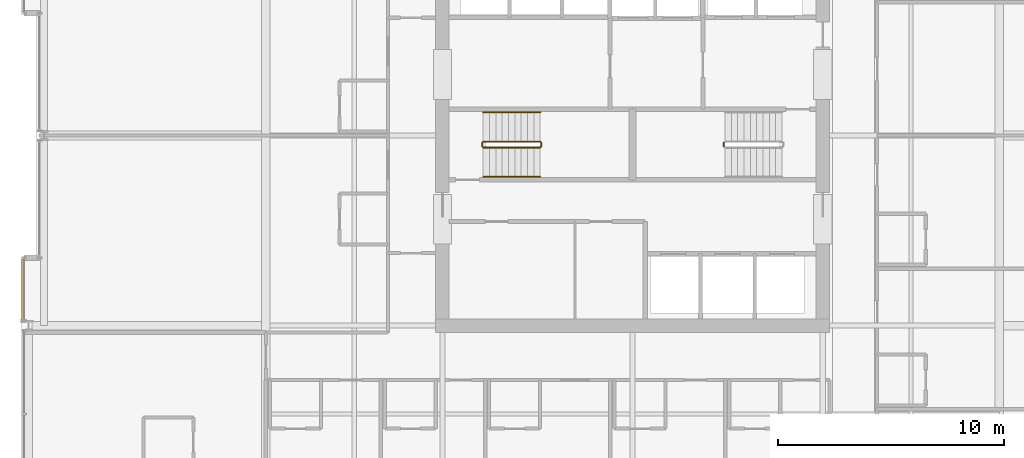
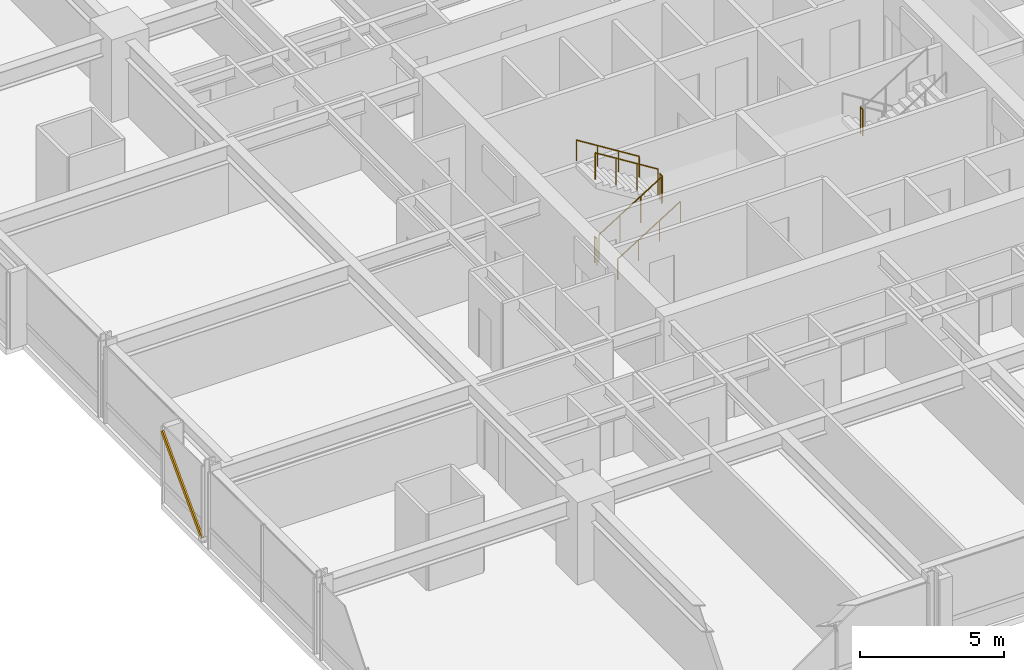
# One storey, part 33 of 35: 7 railings, 1 shading device.
"""IFC4 building model written with IfcOpenShell, lengths in metres."""

from ifc_helpers import new_model, si_unit, direction, frame, origin, origin_2d, place, context, subcontext, project, spatial, hollow_rectangle, circle, extrude, material, material_profile, profile_set, type_object, element, save


model = new_model("IFC4")

# Units and contexts
model_context = context("Model", 3, precision=1e-05, world=origin(), true_north=direction((0.0, 1.0)))
body_context = subcontext(model_context, "Body", "Model", "MODEL_VIEW")
ifc_project = project(units=[si_unit("LENGTHUNIT", "METRE"), si_unit("AREAUNIT", "SQUARE_METRE"), si_unit("VOLUMEUNIT", "CUBIC_METRE"), si_unit("PLANEANGLEUNIT", "RADIAN"), si_unit("MASSUNIT", "GRAM", prefix="KILO")], contexts=[model_context])

# Site, building, storey
site_placement = place(None, origin())
site = spatial("IfcSite", under=ifc_project, at=site_placement, CompositionType="ELEMENT")
building_placement = place(site_placement, origin())
building = spatial("IfcBuilding", under=site, at=building_placement, Name="Drelvath Grand Hotel", CompositionType="ELEMENT")
storey_placement = place(building_placement, frame((0.0, 0.0, 98.800048828125)))
storey = spatial("IfcBuildingStorey", under=building, at=storey_placement, Name="L24", CompositionType="ELEMENT", Elevation=98.800048828125)

# Railings
ifc_material_1 = material(Name="Painted Steel S275", Category="steel")
railing_type_1 = type_object("IfcRailingType", Name="Core Stair Wall Handrail 900", PredefinedType="HANDRAIL", material=ifc_material_1)
railing_1_placement = place(storey_placement, frame((-6.60009765625, 25.169921875, 0.175048828125)))
element("IfcRailing", 1, at=railing_1_placement, inside=storey, type_object=railing_type_1, Name="L24 ST-1 stair handrail 1", PredefinedType="HANDRAIL", context=body_context, shape_type="SweptSolid", body=[
    extrude(circle(Radius=0.02392578125, at=origin_2d()), frame((0.0, 0.0, 0.8759765625), z_axis=(0.848007534815, 0.0, 0.529984170421), x_axis=(0.0, 1.0, 0.0)), (0.0, 0.0, 1.0), 2.9716796875),
    extrude(circle(Radius=0.02099609375, at=origin_2d()), origin(), (0.0, 0.0, 1.0), 0.851806640625),
    extrude(circle(Radius=0.02099609375, at=origin_2d()), frame((0.840087890625, 0.0, 0.52490234375)), (0.0, 0.0, 1.0), 0.851806640625),
    extrude(circle(Radius=0.02099609375, at=origin_2d()), frame((1.679931640625, 0.0, 1.050048828125)), (0.0, 0.0, 1.0), 0.851806640625),
    extrude(circle(Radius=0.02099609375, at=origin_2d()), frame((2.52001953125, 0.0, 1.574951171875)), (0.0, 0.0, 1.0), 0.851806640625),
])
railing_2_placement = place(storey_placement, frame((-4.080078125, 28.030029296875, 1.925048828125)))
element("IfcRailing", 2, at=railing_2_placement, inside=storey, type_object=railing_type_1, Name="L24 ST-1 stair handrail 2", PredefinedType="HANDRAIL", context=body_context, shape_type="SweptSolid", body=[
    extrude(circle(Radius=0.02392578125, at=origin_2d()), frame((0.0, 0.0, 0.8759765625), z_axis=(-0.848007534815, 0.0, 0.529984170421), x_axis=(0.0, -1.0, 0.0)), (0.0, 0.0, 1.0), 2.9716796875),
    extrude(circle(Radius=0.02099609375, at=origin_2d()), origin(), (0.0, 0.0, 1.0), 0.851806640625),
    extrude(circle(Radius=0.02099609375, at=origin_2d()), frame((-0.840087890625, 0.0, 0.52490234375)), (0.0, 0.0, 1.0), 0.851806640625),
    extrude(circle(Radius=0.02099609375, at=origin_2d()), frame((-1.679931640625, 0.0, 1.050048828125)), (0.0, 0.0, 1.0), 0.851806640625),
    extrude(circle(Radius=0.02099609375, at=origin_2d()), frame((-2.52001953125, 0.0, 1.574951171875)), (0.0, 0.0, 1.0), 0.851806640625),
])
railing_type_2 = type_object("IfcRailingType", Name="Core Stair Well Guardrail 1100", PredefinedType="GUARDRAIL", material=ifc_material_1)
railing_3_placement = place(storey_placement, frame((-6.60009765625, 26.469970703125, 0.175048828125)))
element("IfcRailing", 3, at=railing_3_placement, inside=storey, type_object=railing_type_2, Name="L24 ST-1 stair guard 1", PredefinedType="GUARDRAIL", context=body_context, shape_type="SweptSolid", body=[
    extrude(circle(Radius=0.02392578125, at=origin_2d()), frame((0.0, 0.0, 1.1259765625), z_axis=(0.848007534815, 0.0, 0.529984170421), x_axis=(0.0, 1.0, 0.0)), (0.0, 0.0, 1.0), 2.9716796875),
    extrude(circle(Radius=0.02099609375, at=origin_2d()), origin(), (0.0, 0.0, 1.0), 1.101806640625),
    extrude(circle(Radius=0.02099609375, at=origin_2d()), frame((0.840087890625, 0.0, 0.52490234375)), (0.0, 0.0, 1.0), 1.101806640625),
    extrude(circle(Radius=0.02099609375, at=origin_2d()), frame((1.679931640625, 0.0, 1.050048828125)), (0.0, 0.0, 1.0), 1.101806640625),
    extrude(circle(Radius=0.02099609375, at=origin_2d()), frame((2.52001953125, 0.0, 1.574951171875)), (0.0, 0.0, 1.0), 1.101806640625),
])
railing_4_placement = place(storey_placement, frame((-4.030029296875, 26.52001953125, 1.75)))
element("IfcRailing", 4, at=railing_4_placement, inside=storey, type_object=railing_type_2, Name="L24 ST-1 stair guard 2", PredefinedType="GUARDRAIL", context=body_context, shape_type="SweptSolid", body=[
    extrude(circle(Radius=0.02392578125, at=origin_2d()), frame((0.0, 0.0, 1.1259765625), z_axis=(0.0, 1.0, 0.0), x_axis=(-1.0, 0.0, 0.0)), (0.0, 0.0, 1.0), 0.159912109375),
    extrude(circle(Radius=0.02099609375, at=origin_2d()), origin(), (0.0, 0.0, 1.0), 1.101806640625),
    extrude(circle(Radius=0.02099609375, at=origin_2d()), frame((0.0, 0.159912109375, 0.0)), (0.0, 0.0, 1.0), 1.101806640625),
])
railing_5_placement = place(storey_placement, frame((-4.080078125, 26.72998046875, 1.925048828125)))
element("IfcRailing", 5, at=railing_5_placement, inside=storey, type_object=railing_type_2, Name="L24 ST-1 stair guard 3", PredefinedType="GUARDRAIL", context=body_context, shape_type="SweptSolid", body=[
    extrude(circle(Radius=0.02392578125, at=origin_2d()), frame((0.0, 0.0, 1.1259765625), z_axis=(-0.848007534815, 0.0, 0.529984170421), x_axis=(0.0, -1.0, 0.0)), (0.0, 0.0, 1.0), 2.9716796875),
    extrude(circle(Radius=0.02099609375, at=origin_2d()), origin(), (0.0, 0.0, 1.0), 1.101806640625),
    extrude(circle(Radius=0.02099609375, at=origin_2d()), frame((-0.840087890625, 0.0, 0.52490234375)), (0.0, 0.0, 1.0), 1.101806640625),
    extrude(circle(Radius=0.02099609375, at=origin_2d()), frame((-1.679931640625, 0.0, 1.050048828125)), (0.0, 0.0, 1.0), 1.101806640625),
    extrude(circle(Radius=0.02099609375, at=origin_2d()), frame((-2.52001953125, 0.0, 1.574951171875)), (0.0, 0.0, 1.0), 1.101806640625),
])
railing_6_placement = place(storey_placement, frame((-6.64990234375, 26.52001953125, 0.0)))
element("IfcRailing", 6, at=railing_6_placement, inside=storey, type_object=railing_type_2, Name="L24 ST-1 stair guard 4", PredefinedType="GUARDRAIL", context=body_context, shape_type="SweptSolid", body=[
    extrude(circle(Radius=0.02392578125, at=origin_2d()), frame((0.0, 0.0, 1.1259765625), z_axis=(0.0, 1.0, 0.0), x_axis=(-1.0, 0.0, 0.0)), (0.0, 0.0, 1.0), 0.159912109375),
    extrude(circle(Radius=0.02099609375, at=origin_2d()), origin(), (0.0, 0.0, 1.0), 1.101806640625),
    extrude(circle(Radius=0.02099609375, at=origin_2d()), frame((0.0, 0.159912109375, 0.0)), (0.0, 0.0, 1.0), 1.101806640625),
])
railing_7_placement = place(storey_placement, frame((4.030029296875, 26.679931640625, 1.75)))
element("IfcRailing", 7, at=railing_7_placement, inside=storey, type_object=railing_type_2, Name="L24 ST-2 stair guard 2", PredefinedType="GUARDRAIL", context=body_context, shape_type="SweptSolid", body=[
    extrude(circle(Radius=0.02392578125, at=origin_2d()), frame((0.0, 0.0, 1.1259765625), z_axis=(0.0, -1.0, 0.0), x_axis=(1.0, 0.0, 0.0)), (0.0, 0.0, 1.0), 0.159912109375),
    extrude(circle(Radius=0.02099609375, at=origin_2d()), origin(), (0.0, 0.0, 1.0), 1.101806640625),
    extrude(circle(Radius=0.02099609375, at=origin_2d()), frame((0.0, -0.159912109375, 0.0)), (0.0, 0.0, 1.0), 1.101806640625),
])

# Shading device
ifc_material_2 = material(Name="Champagne Bronze Anodised Aluminium", Category="aluminium")
ifc_material_profile = material_profile(ifc_material_2, hollow_rectangle(XDim=0.06494140625, YDim=0.159912109375, WallThickness=0.00390625, at=origin_2d()), Name="HSS160X65X4")
ifc_profile_set = profile_set([ifc_material_profile], Name="Champagne Bronze Anodised Aluminium")
shading_device_type = type_object("IfcShadingDeviceType", Name="Diagonal Solar Fin Champagne Anodised HSS160X65X4", PredefinedType="USERDEFINED", material=ifc_profile_set)
shading_device_placement = place(storey_placement, frame((-26.9599609375, 18.819580078125, 0.179931640625), z_axis=(0.0, 0.694556420652, 0.719438238163), x_axis=(-1.0, 0.0, 0.0)))
element("IfcShadingDevice", 8, at=shading_device_placement, inside=storey, type_object=shading_device_type, Name="L24 Diagonal Anodised Fin CW03-L24-WS3", ObjectType="FIN", PredefinedType="USERDEFINED", context=body_context, shape_type="SweptSolid", body=[
    extrude(hollow_rectangle(XDim=0.06494140625, YDim=0.159912109375, WallThickness=0.00390625, at=origin_2d()), origin(), (0.0, 0.0, 1.0), 4.00341796875),
])

save(model, "model.ifc")
